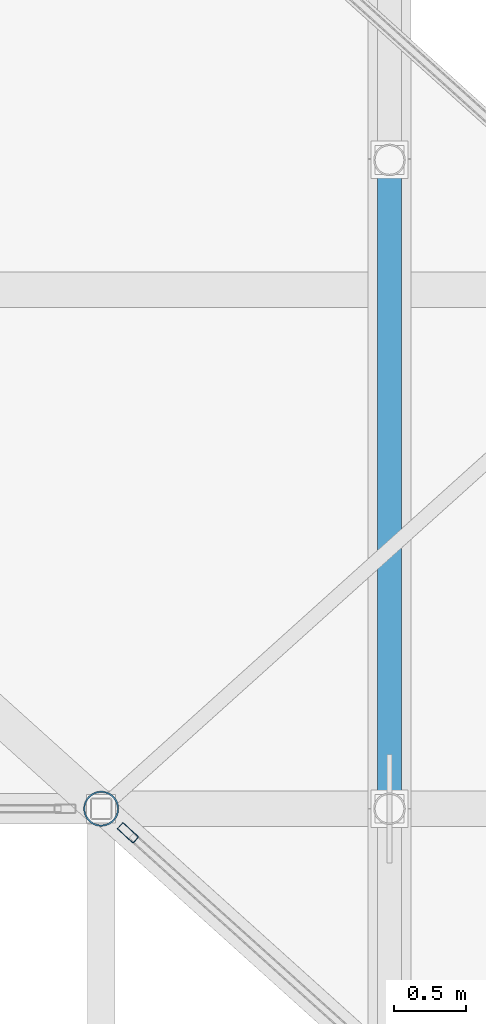
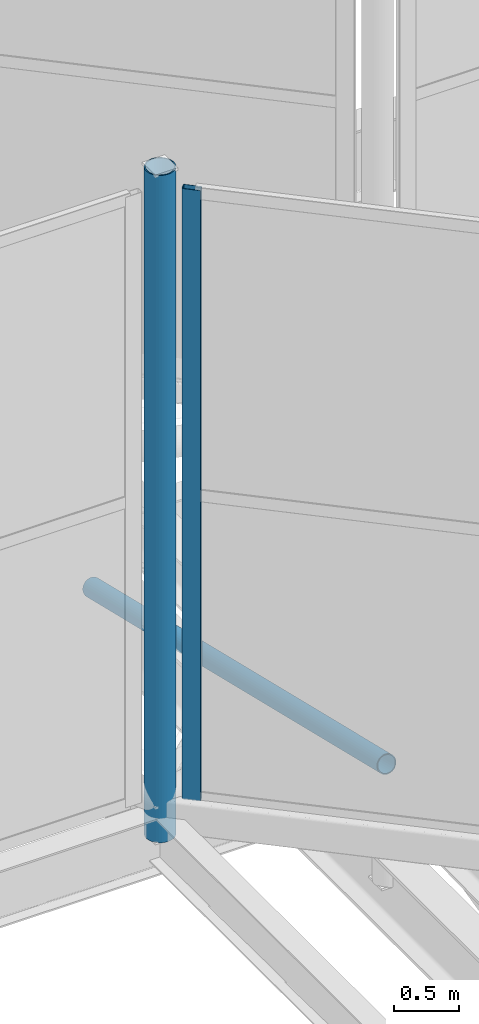
# One storey, part 99 of 239: 3 members, 1 element without a shape of its own.
"""IFC4 building model written with IfcOpenShell, lengths in metres."""

from ifc_helpers import new_model, si_unit, direction, frame, origin, origin_2d, place, context, subcontext, project, spatial, hollow_rectangle, hollow_circle, extrude, material, layer, layer_set, material_profile, profile_set, type_object, element, aggregate, save


model = new_model("IFC4")

# Units and contexts
model_context = context("Model", 3, precision=1e-05, world=origin(), true_north=direction((0.0, 1.0)))
body_context = subcontext(model_context, "Body", "Model", "MODEL_VIEW")
ifc_project = project(units=[si_unit("LENGTHUNIT", "METRE"), si_unit("AREAUNIT", "SQUARE_METRE"), si_unit("VOLUMEUNIT", "CUBIC_METRE"), si_unit("PLANEANGLEUNIT", "RADIAN"), si_unit("MASSUNIT", "GRAM", prefix="KILO")], contexts=[model_context])

# Site, building, storey
site_placement = place(None, origin())
site = spatial("IfcSite", under=ifc_project, at=site_placement, CompositionType="ELEMENT")
building_placement = place(site_placement, origin())
building = spatial("IfcBuilding", under=site, at=building_placement, Name="Dunvalen Ferry Terminal", CompositionType="ELEMENT")
storey_placement = place(building_placement, frame((0.0, 0.0, 9.840087890625)))
storey = spatial("IfcBuildingStorey", under=building, at=storey_placement, Name="L02", CompositionType="ELEMENT", Elevation=9.840087890625)

# Curtain wall, member
ifc_material_1 = material(Name="Anodised marine aluminium and solar-control glazing", Category="aluminium")
ifc_layer = layer(ifc_material_1, 0.179931640625, Name="Anodised marine aluminium and solar-control glazing")
ifc_layer_set = layer_set([ifc_layer], Name="Anodised marine aluminium and solar-control glazing")
curtain_wall_type = type_object("IfcCurtainWallType", Name="ENV-CW-SYS-06", PredefinedType="NOTDEFINED", material=ifc_layer_set)
curtain_wall_placement = place(storey_placement, origin())
curtain_wall = element("IfcCurtainWall", 1, at=curtain_wall_placement, inside=storey, type_object=curtain_wall_type, Name="L02 Curtain Wall CW-HEX-25-SK-4", PredefinedType="NOTDEFINED")
ifc_material_2 = material(Name="Anodised marine aluminium EN AW-6063 T6", Category="aluminium")
ifc_material_profile_1 = material_profile(ifc_material_2, hollow_rectangle(XDim=0.06005859375, YDim=0.14990234375, WallThickness=0.00341796875, InnerFilletRadius=0.00341796875, OuterFilletRadius=0.007080078125, at=origin_2d()), Name="Anodised marine aluminium EN AW-6063 T6")
ifc_profile_set_1 = profile_set([ifc_material_profile_1], Name="Anodised marine aluminium EN AW-6063 T6")
member_type_1 = type_object("IfcMemberType", Name="ENV-CW-MUL-3", PredefinedType="MULLION", material=ifc_profile_set_1)
member_1_placement = place(storey_placement, frame((58.185791015625, 68.232666015625, 1.139892578125), z_axis=(0.0, 0.0, 1.0), x_axis=(-0.668953550894, -0.74330420875, 0.0)))
member_1 = element("IfcMember", 2, at=member_1_placement, type_object=member_type_1, Name="CW-06 mullion 2", PredefinedType="MULLION", context=body_context, shape_type="SweptSolid", body=[
    extrude(hollow_rectangle(XDim=0.06005859375, YDim=0.14990234375, WallThickness=0.00341796875, InnerFilletRadius=0.00341796875, OuterFilletRadius=0.007080078125, at=origin_2d()), origin(), (0.0, 0.0, 1.0), 5.699951171875),
])
aggregate(curtain_wall, [member_1])

# Members
ifc_material_3 = material(Name="Steel S355", Category="steel")
ifc_material_profile_2 = material_profile(ifc_material_3, hollow_circle(Radius=0.084228515625, WallThickness=0.008056640625, at=origin_2d()), Name="Steel S355")
ifc_profile_set_2 = profile_set([ifc_material_profile_2], Name="Steel S355")
member_type_2 = type_object("IfcMemberType", Name="STR-MB-CHS168", PredefinedType="BRACE", material=ifc_profile_set_2)
member_2_placement = place(storey_placement, frame((60.0, 68.39990234375, 0.719970703125), z_axis=(0.0, 0.972383470914, -0.233388914677), x_axis=(-1.0, 0.0, 0.0)))
element("IfcMember", 3, at=member_2_placement, inside=storey, type_object=member_type_2, Name="Departure Hall Arch Web Diagonal 05.5", PredefinedType="BRACE", context=body_context, shape_type="SweptSolid", body=[
    extrude(hollow_circle(Radius=0.084228515625, WallThickness=0.008056640625, at=origin_2d()), origin(), (0.0, 0.0, 1.0), 4.627685546875),
])
ifc_material_profile_3 = material_profile(ifc_material_3, hollow_circle(Radius=0.122314453125, WallThickness=0.010009765625, at=origin_2d()), Name="Steel S355")
ifc_profile_set_3 = profile_set([ifc_material_profile_3], Name="Steel S355")
member_type_3 = type_object("IfcMemberType", Name="STR-MB-CHS244", PredefinedType="STRUT", material=ifc_profile_set_3)
member_3_placement = place(storey_placement, frame((58.0, 68.39990234375, 0.77001953125), z_axis=(0.0, 0.0, 1.0), x_axis=(1.0, 0.0, 0.0)))
element("IfcMember", 4, at=member_3_placement, inside=storey, type_object=member_type_3, Name="HEX-25 Skylight Lantern Corner Strut 5", PredefinedType="STRUT", context=body_context, shape_type="SweptSolid", body=[
    extrude(hollow_circle(Radius=0.122314453125, WallThickness=0.010009765625, at=origin_2d()), origin(), (0.0, 0.0, 1.0), 6.22998046875),
])

save(model, "model.ifc")
